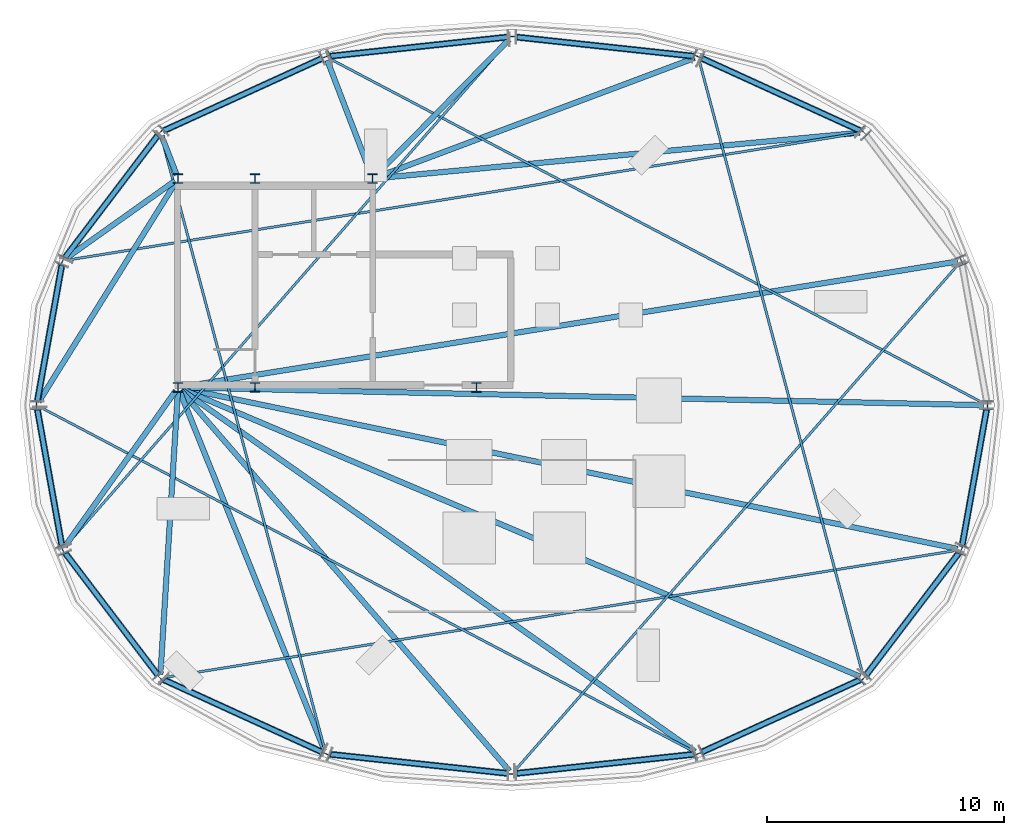
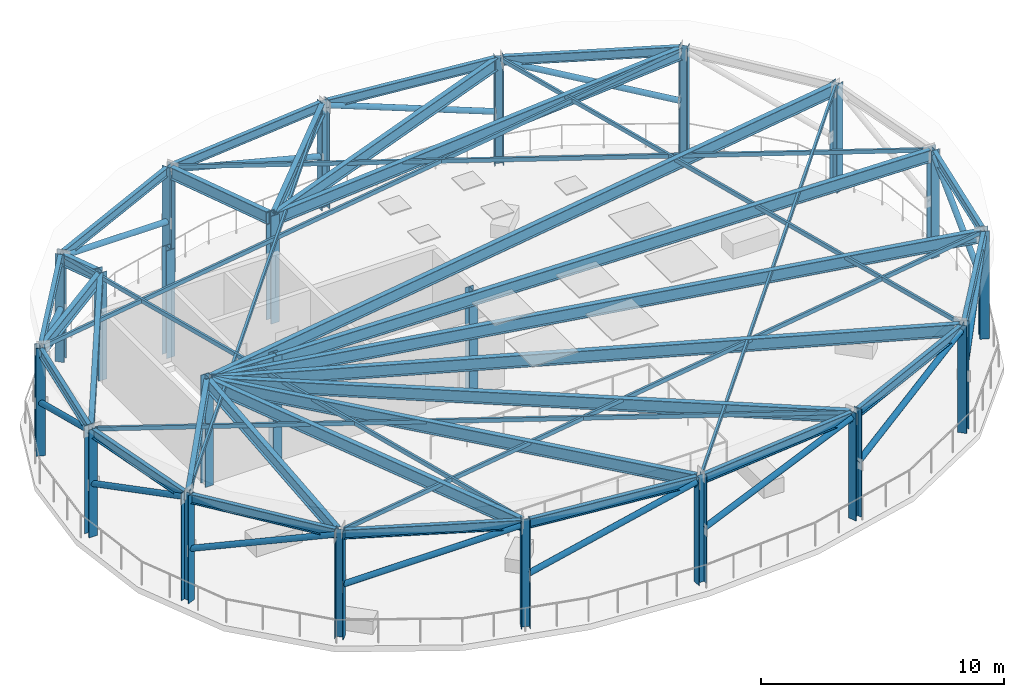
# One storey, part 1 of 6: 30 beams, 22 columns, 22 members.
"""IFC4 building model written with IfcOpenShell, lengths in metres."""

from ifc_helpers import new_model, si_unit, direction, frame, origin, origin_2d, place, context, subcontext, project, spatial, hollow_rectangle, hollow_circle, i_section, extrude, material, material_profile, profile_set, type_object, element, save


model = new_model("IFC4")

# Units and contexts
model_context = context("Model", 3, precision=1e-05, world=origin(), true_north=direction((0.0, 1.0)))
body_context = subcontext(model_context, "Body", "Model", "MODEL_VIEW")
ifc_project = project(units=[si_unit("LENGTHUNIT", "METRE"), si_unit("AREAUNIT", "SQUARE_METRE"), si_unit("VOLUMEUNIT", "CUBIC_METRE"), si_unit("PLANEANGLEUNIT", "RADIAN"), si_unit("MASSUNIT", "GRAM", prefix="KILO")], contexts=[model_context])

# Site, building, storey
site_placement = place(None, origin())
site = spatial("IfcSite", under=ifc_project, at=site_placement, CompositionType="ELEMENT")
building_placement = place(site_placement, origin())
building = spatial("IfcBuilding", under=site, at=building_placement, Name="Haldorwick Loom Tower", CompositionType="ELEMENT")
storey_placement = place(building_placement, frame((0.0, 0.0, 300.5)))
storey = spatial("IfcBuildingStorey", under=building, at=storey_placement, Name="RF", CompositionType="ELEMENT", Elevation=300.5)

# Columns
ifc_material = material(Name="Steel CSA G40.21 350W", Category="steel")
ifc_material_profile_1 = material_profile(ifc_material, i_section(OverallWidth=0.39501953125, OverallDepth=0.3798828125, WebThickness=0.015380859375, FlangeThickness=0.02490234375, at=origin_2d()), Name="W360X237", Category="steel")
ifc_profile_set_1 = profile_set([ifc_material_profile_1], Name="Steel CSA G40.21 350W")
column_type_1 = type_object("IfcColumnType", Name="STR-COL-W360X237", PredefinedType="COLUMN", material=ifc_profile_set_1)
for number, where, z_axis, x_axis, name in (
    (1, (56.03369140625, 26.0, 0.0), (0.0, 0.0, 1.0), (1.0, 0.0, 0.0), "RF Perimeter Pier Column P01"),
    (2, (54.939453125, 32.084716796875, 0.0), (0.0, 0.0, 1.0), (0.923879532511, 0.382683432365, 0.0), "RF Perimeter Pier Column P02"),
    (3, (50.825439453125, 37.501220703125, 0.0), (0.0, 0.0, 1.0), (0.707106781187, 0.707106781187, 0.0), "RF Perimeter Pier Column P03"),
    (4, (43.844970703125, 40.689697265625, 0.0), (0.0, 0.0, 1.0), (0.382683432365, 0.923879532511, 0.0), "RF Perimeter Pier Column P04"),
    (5, (36.0, 41.534912109375, 0.0), (0.0, 0.0, 1.0), (0.0, 1.0, 0.0), "RF Perimeter Pier Column P05"),
    (6, (28.155029296875, 40.689697265625, 0.0), (0.0, 0.0, 1.0), (-0.382683432365, 0.923879532511, 0.0), "RF Perimeter Pier Column P06"),
    (7, (21.174560546875, 37.501220703125, 0.0), (0.0, 0.0, 1.0), (-0.707106781187, 0.707106781187, 0.0), "RF Perimeter Pier Column P07"),
    (8, (17.060546875, 32.084716796875, 0.0), (0.0, 0.0, 1.0), (-0.923879532511, 0.382683432365, 0.0), "RF Perimeter Pier Column P08"),
    (9, (15.96630859375, 26.0, 0.0), (0.0, 0.0, 1.0), (-1.0, 0.0, 0.0), "RF Perimeter Pier Column P09"),
    (10, (17.060546875, 19.915283203125, 0.0), (0.0, 0.0, 1.0), (-0.923879532511, -0.382683432365, 0.0), "RF Perimeter Pier Column P10"),
    (11, (21.174560546875, 14.498779296875, 0.0), (0.0, 0.0, 1.0), (-0.707106781187, -0.707106781187, 0.0), "RF Perimeter Pier Column P11"),
    (12, (28.155029296875, 11.310302734375, 0.0), (0.0, 0.0, 1.0), (-0.382683432365, -0.923879532511, 0.0), "RF Perimeter Pier Column P12"),
    (13, (36.0, 10.465087890625, 0.0), (0.0, 0.0, 1.0), (0.0, -1.0, 0.0), "RF Perimeter Pier Column P13"),
    (14, (43.844970703125, 11.310302734375, 0.0), (0.0, 0.0, 1.0), (0.382683432365, -0.923879532511, 0.0), "RF Perimeter Pier Column P14"),
    (15, (50.825439453125, 14.498779296875, 0.0), (0.0, 0.0, 1.0), (0.707106781187, -0.707106781187, 0.0), "RF Perimeter Pier Column P15"),
    (16, (54.939453125, 19.915283203125, 0.0), (0.0, 0.0, 1.0), (0.923879532511, -0.382683432365, 0.0), "RF Perimeter Pier Column P16"),
):
    element("IfcColumn", number, at=place(storey_placement, frame(where, z_axis=z_axis, x_axis=x_axis)), inside=storey, type_object=column_type_1, Name=name, PredefinedType="COLUMN", context=body_context, shape_type="SweptSolid", body=[
        extrude(i_section(OverallWidth=0.39501953125, OverallDepth=0.3798828125, WebThickness=0.015380859375, FlangeThickness=0.02490234375, at=origin_2d()), origin(), (0.0, 0.0, 1.0), 5.419921875),
    ])
ifc_material_profile_2 = material_profile(ifc_material, i_section(OverallWidth=0.39892578125, OverallDepth=0.39306640625, WebThickness=0.0185546875, FlangeThickness=0.029541015625, at=origin_2d()), Name="W360X287", Category="steel")
ifc_profile_set_2 = profile_set([ifc_material_profile_2], Name="Steel CSA G40.21 350W")
column_type_2 = type_object("IfcColumnType", Name="STR-COL-W360X287", PredefinedType="COLUMN", material=ifc_profile_set_2)
for number, where, z_axis, x_axis, name in (
    (17, (21.929931640625, 35.550048828125, 0.0), (0.0, 0.0, 1.0), (1.0, 0.0, 0.0), "RF Core Pilaster CB-01"),
    (18, (25.169921875, 35.550048828125, 0.0), (0.0, 0.0, 1.0), (1.0, 0.0, 0.0), "RF Core Pilaster CB-03"),
    (19, (30.1298828125, 35.550048828125, 0.0), (0.0, 0.0, 1.0), (1.0, 0.0, 0.0), "RF Core Pilaster CB-06"),
    (20, (21.929931640625, 26.75, 0.0), (0.0, 0.0, 1.0), (1.0, 0.0, 0.0), "RF Core Pilaster CB-19"),
    (21, (25.169921875, 26.75, 0.0), (0.0, 0.0, 1.0), (1.0, 0.0, 0.0), "RF Core Pilaster CB-20"),
    (22, (34.5, 26.75, 0.0), (0.0, 0.0, 1.0), (1.0, 0.0, 0.0), "RF Core Pilaster CB-21"),
):
    element("IfcColumn", number, at=place(storey_placement, frame(where, z_axis=z_axis, x_axis=x_axis)), inside=storey, type_object=column_type_2, Name=name, PredefinedType="COLUMN", context=body_context, shape_type="SweptSolid", body=[
        extrude(i_section(OverallWidth=0.39892578125, OverallDepth=0.39306640625, WebThickness=0.0185546875, FlangeThickness=0.029541015625, at=origin_2d()), origin(), (0.0, 0.0, 1.0), 5.419921875),
    ])

# Beams
ifc_material_profile_3 = material_profile(ifc_material, i_section(OverallWidth=0.193115234375, OverallDepth=0.466064453125, WebThickness=0.011474609375, FlangeThickness=0.01904296875, at=origin_2d()), Name="W460X97", Category="steel")
ifc_profile_set_3 = profile_set([ifc_material_profile_3], Name="Steel CSA G40.21 350W")
beam_type_1 = type_object("IfcBeamType", Name="STR-BM-SP460", PredefinedType="SPANDREL", material=ifc_profile_set_3)
beam_1_placement = place(storey_placement, frame((50.67529296875, 37.56982421875, 5.18701171875), z_axis=(-0.909604441559, 0.415475342103, 0.0), x_axis=(-0.415475342103, -0.909604441559, 0.0)))
element("IfcBeam", 23, at=beam_1_placement, inside=storey, type_object=beam_type_1, Name="RF Perimeter Spandrel 3", PredefinedType="SPANDREL", context=body_context, shape_type="SweptSolid", body=[
    extrude(i_section(OverallWidth=0.193115234375, OverallDepth=0.466064453125, WebThickness=0.011474609375, FlangeThickness=0.01904296875, at=origin_2d()), origin(), (0.0, 0.0, 1.0), 7.343994140625),
])
for number, where, z_axis, x_axis, name in (
    (24, (43.680908203125, 40.70751953125, 5.18701171875), (-0.994250241112, 0.10708154859, 0.0), (-0.10708154859, -0.994250241112, 0.0), "RF Perimeter Spandrel 4"),
    (25, (35.8359375, 41.51708984375, 5.18701171875), (-0.994250241112, -0.10708154859, 0.0), (0.10708154859, -0.994250241112, 0.0), "RF Perimeter Spandrel 5"),
):
    element("IfcBeam", number, at=place(storey_placement, frame(where, z_axis=z_axis, x_axis=x_axis)), inside=storey, type_object=beam_type_1, Name=name, PredefinedType="SPANDREL", context=body_context, shape_type="SweptSolid", body=[
        extrude(i_section(OverallWidth=0.193115234375, OverallDepth=0.466064453125, WebThickness=0.011474609375, FlangeThickness=0.01904296875, at=origin_2d()), origin(), (0.0, 0.0, 1.0), 7.560302734375),
    ])
beam_2_placement = place(storey_placement, frame((28.0048828125, 40.62109375, 5.18701171875), z_axis=(-0.909604441559, -0.415475342103, 0.0), x_axis=(0.415475342103, -0.909604441559, 0.0)))
element("IfcBeam", 26, at=beam_2_placement, inside=storey, type_object=beam_type_1, Name="RF Perimeter Spandrel 6", PredefinedType="SPANDREL", context=body_context, shape_type="SweptSolid", body=[
    extrude(i_section(OverallWidth=0.193115234375, OverallDepth=0.466064453125, WebThickness=0.011474609375, FlangeThickness=0.01904296875, at=origin_2d()), origin(), (0.0, 0.0, 1.0), 7.343994140625),
])
beam_3_placement = place(storey_placement, frame((21.07470703125, 37.369873046875, 5.18701171875), z_axis=(-0.604829766421, -0.796354791315, 0.0), x_axis=(0.796354791315, -0.604829766421, 0.0)))
element("IfcBeam", 27, at=beam_3_placement, inside=storey, type_object=beam_type_1, Name="RF Perimeter Spandrel 7", PredefinedType="SPANDREL", context=body_context, shape_type="SweptSolid", body=[
    extrude(i_section(OverallWidth=0.193115234375, OverallDepth=0.466064453125, WebThickness=0.011474609375, FlangeThickness=0.01904296875, at=origin_2d()), origin(), (0.0, 0.0, 1.0), 6.4716796875),
])
for number, where, z_axis, x_axis, name in (
    (28, (17.03125, 31.92236328125, 5.18701171875), (-0.176961464266, -0.984217780862, 0.0), (0.984217780862, -0.176961464266, 0.0), "RF Perimeter Spandrel 8"),
    (29, (15.99560546875, 25.837646484375, 5.18701171875), (0.176961464266, -0.984217780862, 0.0), (0.984217780862, 0.176961464266, 0.0), "RF Perimeter Spandrel 9"),
):
    element("IfcBeam", number, at=place(storey_placement, frame(where, z_axis=z_axis, x_axis=x_axis)), inside=storey, type_object=beam_type_1, Name=name, PredefinedType="SPANDREL", context=body_context, shape_type="SweptSolid", body=[
        extrude(i_section(OverallWidth=0.193115234375, OverallDepth=0.466064453125, WebThickness=0.011474609375, FlangeThickness=0.01904296875, at=origin_2d()), origin(), (0.0, 0.0, 1.0), 5.852294921875),
    ])
beam_4_placement = place(storey_placement, frame((17.160400390625, 19.783935546875, 5.18701171875), z_axis=(0.604829766421, -0.796354791315, 0.0), x_axis=(0.796354791315, 0.604829766421, 0.0)))
element("IfcBeam", 30, at=beam_4_placement, inside=storey, type_object=beam_type_1, Name="RF Perimeter Spandrel 10", PredefinedType="SPANDREL", context=body_context, shape_type="SweptSolid", body=[
    extrude(i_section(OverallWidth=0.193115234375, OverallDepth=0.466064453125, WebThickness=0.011474609375, FlangeThickness=0.01904296875, at=origin_2d()), origin(), (0.0, 0.0, 1.0), 6.4716796875),
])
beam_5_placement = place(storey_placement, frame((21.32470703125, 14.43017578125, 5.18701171875), z_axis=(0.909604441559, -0.415475342103, 0.0), x_axis=(0.415475342103, 0.909604441559, 0.0)))
element("IfcBeam", 31, at=beam_5_placement, inside=storey, type_object=beam_type_1, Name="RF Perimeter Spandrel 11", PredefinedType="SPANDREL", context=body_context, shape_type="SweptSolid", body=[
    extrude(i_section(OverallWidth=0.193115234375, OverallDepth=0.466064453125, WebThickness=0.011474609375, FlangeThickness=0.01904296875, at=origin_2d()), origin(), (0.0, 0.0, 1.0), 7.343994140625),
])
for number, where, z_axis, x_axis, name in (
    (32, (28.319091796875, 11.29248046875, 5.18701171875), (0.994250241112, -0.10708154859, 0.0), (0.10708154859, 0.994250241112, 0.0), "RF Perimeter Spandrel 12"),
    (33, (36.1640625, 10.48291015625, 5.18701171875), (0.994250241112, 0.10708154859, 0.0), (-0.10708154859, 0.994250241112, 0.0), "RF Perimeter Spandrel 13"),
):
    element("IfcBeam", number, at=place(storey_placement, frame(where, z_axis=z_axis, x_axis=x_axis)), inside=storey, type_object=beam_type_1, Name=name, PredefinedType="SPANDREL", context=body_context, shape_type="SweptSolid", body=[
        extrude(i_section(OverallWidth=0.193115234375, OverallDepth=0.466064453125, WebThickness=0.011474609375, FlangeThickness=0.01904296875, at=origin_2d()), origin(), (0.0, 0.0, 1.0), 7.560302734375),
    ])
beam_6_placement = place(storey_placement, frame((43.9951171875, 11.37890625, 5.18701171875), z_axis=(0.909604441559, 0.415475342103, 0.0), x_axis=(-0.415475342103, 0.909604441559, 0.0)))
element("IfcBeam", 34, at=beam_6_placement, inside=storey, type_object=beam_type_1, Name="RF Perimeter Spandrel 14", PredefinedType="SPANDREL", context=body_context, shape_type="SweptSolid", body=[
    extrude(i_section(OverallWidth=0.193115234375, OverallDepth=0.466064453125, WebThickness=0.011474609375, FlangeThickness=0.01904296875, at=origin_2d()), origin(), (0.0, 0.0, 1.0), 7.343994140625),
])
beam_7_placement = place(storey_placement, frame((50.92529296875, 14.630126953125, 5.18701171875), z_axis=(0.604829766421, 0.796354791315, 0.0), x_axis=(-0.796354791315, 0.604829766421, 0.0)))
element("IfcBeam", 35, at=beam_7_placement, inside=storey, type_object=beam_type_1, Name="RF Perimeter Spandrel 15", PredefinedType="SPANDREL", context=body_context, shape_type="SweptSolid", body=[
    extrude(i_section(OverallWidth=0.193115234375, OverallDepth=0.466064453125, WebThickness=0.011474609375, FlangeThickness=0.01904296875, at=origin_2d()), origin(), (0.0, 0.0, 1.0), 6.4716796875),
])
beam_8_placement = place(storey_placement, frame((54.96875, 20.07763671875, 5.18701171875), z_axis=(0.176961464266, 0.984217780862, 0.0), x_axis=(-0.984217780862, 0.176961464266, 0.0)))
element("IfcBeam", 36, at=beam_8_placement, inside=storey, type_object=beam_type_1, Name="RF Perimeter Spandrel 16", PredefinedType="SPANDREL", context=body_context, shape_type="SweptSolid", body=[
    extrude(i_section(OverallWidth=0.193115234375, OverallDepth=0.466064453125, WebThickness=0.011474609375, FlangeThickness=0.01904296875, at=origin_2d()), origin(), (0.0, 0.0, 1.0), 5.852294921875),
])
ifc_material_profile_4 = material_profile(ifc_material, i_section(OverallWidth=0.22998046875, OverallDepth=0.616943359375, WebThickness=0.01318359375, FlangeThickness=0.022216796875, at=origin_2d()), Name="W610X140", Category="steel")
ifc_profile_set_4 = profile_set([ifc_material_profile_4], Name="Steel CSA G40.21 350W")
beam_type_2 = type_object("IfcBeamType", Name="STR-BM-W610B", PredefinedType="BEAM", material=ifc_profile_set_4)
beam_9_placement = place(storey_placement, frame((22.1015625, 26.74609375, 5.111572265625), z_axis=(0.999758377009, -0.021981528628, 0.0), x_axis=(0.021981528628, 0.999758377009, 0.0)))
element("IfcBeam", 37, at=beam_9_placement, inside=storey, type_object=beam_type_2, Name="RF Radial Floor Girder 1", PredefinedType="BEAM", context=body_context, shape_type="SweptSolid", body=[
    extrude(i_section(OverallWidth=0.22998046875, OverallDepth=0.616943359375, WebThickness=0.01318359375, FlangeThickness=0.022216796875, at=origin_2d()), origin(), (0.0, 0.0, 1.0), 33.775146484375),
])
beam_10_placement = place(storey_placement, frame((22.099365234375, 26.77734375, 5.111572265625), z_axis=(0.987191291071, 0.159541075693, 0.0), x_axis=(-0.159541075693, 0.987191291071, 0.0)))
element("IfcBeam", 38, at=beam_10_placement, inside=storey, type_object=beam_type_2, Name="RF Radial Floor Girder 2", PredefinedType="BEAM", context=body_context, shape_type="SweptSolid", body=[
    extrude(i_section(OverallWidth=0.22998046875, OverallDepth=0.616943359375, WebThickness=0.01318359375, FlangeThickness=0.022216796875, at=origin_2d()), origin(), (0.0, 0.0, 1.0), 33.101318359375),
])
beam_11_placement = place(storey_placement, frame((30.30078125, 35.566162109375, 5.111572265625), z_axis=(0.995585692835, 0.093856956174, 0.0), x_axis=(-0.093856956174, 0.995585692835, 0.0)))
element("IfcBeam", 39, at=beam_11_placement, inside=storey, type_object=beam_type_2, Name="RF Radial Floor Girder 3", PredefinedType="BEAM", context=body_context, shape_type="SweptSolid", body=[
    extrude(i_section(OverallWidth=0.22998046875, OverallDepth=0.616943359375, WebThickness=0.01318359375, FlangeThickness=0.022216796875, at=origin_2d()), origin(), (0.0, 0.0, 1.0), 20.45068359375),
])
beam_12_placement = place(storey_placement, frame((30.29052734375, 35.610107421875, 5.111572265625), z_axis=(0.936403476594, 0.350925247059, 0.0), x_axis=(-0.350925247059, 0.936403476594, 0.0)))
element("IfcBeam", 40, at=beam_12_placement, inside=storey, type_object=beam_type_2, Name="RF Radial Floor Girder 4", PredefinedType="BEAM", context=body_context, shape_type="SweptSolid", body=[
    extrude(i_section(OverallWidth=0.22998046875, OverallDepth=0.616943359375, WebThickness=0.01318359375, FlangeThickness=0.022216796875, at=origin_2d()), origin(), (0.0, 0.0, 1.0), 14.31005859375),
])
beam_13_placement = place(storey_placement, frame((30.25, 35.67236328125, 5.111572265625), z_axis=(0.700231863823, 0.713915497021, 0.0), x_axis=(-0.713915497021, 0.700231863823, 0.0)))
element("IfcBeam", 41, at=beam_13_placement, inside=storey, type_object=beam_type_2, Name="RF Radial Floor Girder 5", PredefinedType="BEAM", context=body_context, shape_type="SweptSolid", body=[
    extrude(i_section(OverallWidth=0.22998046875, OverallDepth=0.616943359375, WebThickness=0.01318359375, FlangeThickness=0.022216796875, at=origin_2d()), origin(), (0.0, 0.0, 1.0), 8.046630859375),
])
beam_14_placement = place(storey_placement, frame((30.068603515625, 35.710205078125, 5.111572265625), z_axis=(-0.358735386107, 0.933439297841, 0.0), x_axis=(-0.933439297841, -0.358735386107, 0.0)))
element("IfcBeam", 42, at=beam_14_placement, inside=storey, type_object=beam_type_2, Name="RF Radial Floor Girder 6", PredefinedType="BEAM", context=body_context, shape_type="SweptSolid", body=[
    extrude(i_section(OverallWidth=0.22998046875, OverallDepth=0.616943359375, WebThickness=0.01318359375, FlangeThickness=0.022216796875, at=origin_2d()), origin(), (0.0, 0.0, 1.0), 5.16943359375),
])
beam_15_placement = place(storey_placement, frame((21.8681640625, 35.7099609375, 5.111572265625), z_axis=(-0.361083815529, 0.93253336571, 0.0), x_axis=(-0.93253336571, -0.361083815529, 0.0)))
element("IfcBeam", 43, at=beam_15_placement, inside=storey, type_object=beam_type_2, Name="RF Radial Floor Girder 7", PredefinedType="BEAM", context=body_context, shape_type="SweptSolid", body=[
    extrude(i_section(OverallWidth=0.22998046875, OverallDepth=0.616943359375, WebThickness=0.01318359375, FlangeThickness=0.022216796875, at=origin_2d()), origin(), (0.0, 0.0, 1.0), 1.755859375),
])
beam_16_placement = place(storey_placement, frame((21.790283203125, 35.45068359375, 5.111572265625), z_axis=(-0.814755843912, -0.579804203857, 0.0), x_axis=(0.579804203857, -0.814755843912, 0.0)))
element("IfcBeam", 44, at=beam_16_placement, inside=storey, type_object=beam_type_2, Name="RF Radial Floor Girder 8", PredefinedType="BEAM", context=body_context, shape_type="SweptSolid", body=[
    extrude(i_section(OverallWidth=0.22998046875, OverallDepth=0.616943359375, WebThickness=0.01318359375, FlangeThickness=0.022216796875, at=origin_2d()), origin(), (0.0, 0.0, 1.0), 5.640380859375),
])
beam_17_placement = place(storey_placement, frame((21.839111328125, 35.404541015625, 5.111572265625), z_axis=(-0.529669400051, -0.848204177454, 0.0), x_axis=(0.848204177454, -0.529669400051, 0.0)))
element("IfcBeam", 45, at=beam_17_placement, inside=storey, type_object=beam_type_2, Name="RF Radial Floor Girder 9", PredefinedType="BEAM", context=body_context, shape_type="SweptSolid", body=[
    extrude(i_section(OverallWidth=0.22998046875, OverallDepth=0.616943359375, WebThickness=0.01318359375, FlangeThickness=0.022216796875, at=origin_2d()), origin(), (0.0, 0.0, 1.0), 10.922607421875),
])
beam_18_placement = place(storey_placement, frame((21.83056640625, 26.6103515625, 5.111572265625), z_axis=(-0.58026875844, -0.814425053629, 0.0), x_axis=(0.814425053629, -0.58026875844, 0.0)))
element("IfcBeam", 46, at=beam_18_placement, inside=storey, type_object=beam_type_2, Name="RF Radial Floor Girder 10", PredefinedType="BEAM", context=body_context, shape_type="SweptSolid", body=[
    extrude(i_section(OverallWidth=0.22998046875, OverallDepth=0.616943359375, WebThickness=0.01318359375, FlangeThickness=0.022216796875, at=origin_2d()), origin(), (0.0, 0.0, 1.0), 8.055419921875),
])
beam_19_placement = place(storey_placement, frame((21.91943359375, 26.578857421875, 5.111572265625), z_axis=(-0.061536674774, -0.998104822981, 0.0), x_axis=(0.998104822981, -0.061536674774, 0.0)))
element("IfcBeam", 47, at=beam_19_placement, inside=storey, type_object=beam_type_2, Name="RF Radial Floor Girder 11", PredefinedType="BEAM", context=body_context, shape_type="SweptSolid", body=[
    extrude(i_section(OverallWidth=0.22998046875, OverallDepth=0.616943359375, WebThickness=0.01318359375, FlangeThickness=0.022216796875, at=origin_2d()), origin(), (0.0, 0.0, 1.0), 11.93798828125),
])
beam_20_placement = place(storey_placement, frame((21.994140625, 26.5908203125, 5.111572265625), z_axis=(0.37393386399, -0.927455371089, 0.0), x_axis=(0.927455371089, 0.37393386399, 0.0)))
element("IfcBeam", 48, at=beam_20_placement, inside=storey, type_object=beam_type_2, Name="RF Radial Floor Girder 12", PredefinedType="BEAM", context=body_context, shape_type="SweptSolid", body=[
    extrude(i_section(OverallWidth=0.22998046875, OverallDepth=0.616943359375, WebThickness=0.01318359375, FlangeThickness=0.022216796875, at=origin_2d()), origin(), (0.0, 0.0, 1.0), 16.310791015625),
])
beam_21_placement = place(storey_placement, frame((22.0419921875, 26.6201171875, 5.111572265625), z_axis=(0.653781579482, -0.756683319711, 0.0), x_axis=(0.756683319711, 0.653781579482, 0.0)))
element("IfcBeam", 49, at=beam_21_placement, inside=storey, type_object=beam_type_2, Name="RF Radial Floor Girder 13", PredefinedType="BEAM", context=body_context, shape_type="SweptSolid", body=[
    extrude(i_section(OverallWidth=0.22998046875, OverallDepth=0.616943359375, WebThickness=0.01318359375, FlangeThickness=0.022216796875, at=origin_2d()), origin(), (0.0, 0.0, 1.0), 21.1845703125),
])
beam_22_placement = place(storey_placement, frame((22.0703125, 26.651123046875, 5.111572265625), z_axis=(0.817490229702, -0.575942466173, 0.0), x_axis=(0.575942466173, 0.817490229702, 0.0)))
element("IfcBeam", 50, at=beam_22_placement, inside=storey, type_object=beam_type_2, Name="RF Radial Floor Girder 14", PredefinedType="BEAM", context=body_context, shape_type="SweptSolid", body=[
    extrude(i_section(OverallWidth=0.22998046875, OverallDepth=0.616943359375, WebThickness=0.01318359375, FlangeThickness=0.022216796875, at=origin_2d()), origin(), (0.0, 0.0, 1.0), 26.47119140625),
])
beam_23_placement = place(storey_placement, frame((22.087890625, 26.68310546875, 5.111572265625), z_axis=(0.920667342171, -0.390348107539, 0.0), x_axis=(0.390348107539, 0.920667342171, 0.0)))
element("IfcBeam", 51, at=beam_23_placement, inside=storey, type_object=beam_type_2, Name="RF Radial Floor Girder 15", PredefinedType="BEAM", context=body_context, shape_type="SweptSolid", body=[
    extrude(i_section(OverallWidth=0.22998046875, OverallDepth=0.616943359375, WebThickness=0.01318359375, FlangeThickness=0.022216796875, at=origin_2d()), origin(), (0.0, 0.0, 1.0), 31.048828125),
])
beam_24_placement = place(storey_placement, frame((22.097900390625, 26.715087890625, 5.111572265625), z_axis=(0.97923072993, -0.202749050703, 0.0), x_axis=(0.202749050703, 0.97923072993, 0.0)))
element("IfcBeam", 52, at=beam_24_placement, inside=storey, type_object=beam_type_2, Name="RF Radial Floor Girder 16", PredefinedType="BEAM", context=body_context, shape_type="SweptSolid", body=[
    extrude(i_section(OverallWidth=0.22998046875, OverallDepth=0.616943359375, WebThickness=0.01318359375, FlangeThickness=0.022216796875, at=origin_2d()), origin(), (0.0, 0.0, 1.0), 33.373046875),
])

# Members
ifc_material_profile_5 = material_profile(ifc_material, hollow_circle(Radius=0.136474609375, WallThickness=0.009521484375, at=origin_2d()), Name="HSS273X10", Category="steel")
ifc_profile_set_5 = profile_set([ifc_material_profile_5], Name="Steel CSA G40.21 350W")
member_type_1 = type_object("IfcMemberType", Name="STR-MEM-BR273C", PredefinedType="BRACE", material=ifc_profile_set_5)
member_1_placement = place(storey_placement, frame((50.67529296875, 37.56982421875, 2.64990234375), z_axis=(-0.862141517948, 0.393795946616, 0.318805199861), x_axis=(-0.415475342103, -0.909604441559, 0.0)))
element("IfcMember", 53, at=member_1_placement, inside=storey, type_object=member_type_1, Name="RF Canopy Wind Brace 3", PredefinedType="BRACE", context=body_context, shape_type="SweptSolid", body=[
    extrude(hollow_circle(Radius=0.136474609375, WallThickness=0.009521484375, at=origin_2d()), origin(), (0.0, 0.0, 1.0), 7.748291015625),
])
for number, where, z_axis, x_axis, name in (
    (54, (43.680908203125, 40.70751953125, 2.64990234375), (-0.945082872583, 0.101786183555, 0.310576780824), (-0.10708154859, -0.994250241112, 0.0), "RF Canopy Wind Brace 4"),
    (55, (35.8359375, 41.51708984375, 2.64990234375), (-0.945082872583, -0.101786183555, 0.310576780824), (0.10708154859, -0.994250241112, 0.0), "RF Canopy Wind Brace 5"),
):
    element("IfcMember", number, at=place(storey_placement, frame(where, z_axis=z_axis, x_axis=x_axis)), inside=storey, type_object=member_type_1, Name=name, PredefinedType="BRACE", context=body_context, shape_type="SweptSolid", body=[
        extrude(hollow_circle(Radius=0.136474609375, WallThickness=0.009521484375, at=origin_2d()), origin(), (0.0, 0.0, 1.0), 7.95361328125),
    ])
member_2_placement = place(storey_placement, frame((28.0048828125, 40.62109375, 2.64990234375), z_axis=(-0.862141517948, -0.393795946616, 0.318805199861), x_axis=(0.415475342103, -0.909604441559, 0.0)))
element("IfcMember", 56, at=member_2_placement, inside=storey, type_object=member_type_1, Name="RF Canopy Wind Brace 6", PredefinedType="BRACE", context=body_context, shape_type="SweptSolid", body=[
    extrude(hollow_circle(Radius=0.136474609375, WallThickness=0.009521484375, at=origin_2d()), origin(), (0.0, 0.0, 1.0), 7.748291015625),
])
member_3_placement = place(storey_placement, frame((21.07470703125, 37.369873046875, 2.64990234375), z_axis=(-0.565066848115, -0.744000571553, 0.356598663333), x_axis=(0.796354791315, -0.604829766421, 0.0)))
element("IfcMember", 57, at=member_3_placement, inside=storey, type_object=member_type_1, Name="RF Canopy Wind Brace 7", PredefinedType="BRACE", context=body_context, shape_type="SweptSolid", body=[
    extrude(hollow_circle(Radius=0.136474609375, WallThickness=0.009521484375, at=origin_2d()), origin(), (0.0, 0.0, 1.0), 6.92724609375),
])
for number, where, z_axis, x_axis, name in (
    (58, (17.03125, 31.92236328125, 2.64990234375), (-0.163033528275, -0.906753897358, 0.388866864471), (0.984217780862, -0.176961464266, 0.0), "RF Canopy Wind Brace 8"),
    (59, (15.99560546875, 25.837646484375, 2.64990234375), (0.163033528275, -0.906753897358, 0.388866864471), (0.984217780862, 0.176961464266, 0.0), "RF Canopy Wind Brace 9"),
):
    element("IfcMember", number, at=place(storey_placement, frame(where, z_axis=z_axis, x_axis=x_axis)), inside=storey, type_object=member_type_1, Name=name, PredefinedType="BRACE", context=body_context, shape_type="SweptSolid", body=[
        extrude(hollow_circle(Radius=0.136474609375, WallThickness=0.009521484375, at=origin_2d()), origin(), (0.0, 0.0, 1.0), 6.352294921875),
    ])
member_4_placement = place(storey_placement, frame((17.160400390625, 19.783935546875, 2.64990234375), z_axis=(0.565066848115, -0.744000571553, 0.356598663333), x_axis=(0.796354791315, 0.604829766421, 0.0)))
element("IfcMember", 60, at=member_4_placement, inside=storey, type_object=member_type_1, Name="RF Canopy Wind Brace 10", PredefinedType="BRACE", context=body_context, shape_type="SweptSolid", body=[
    extrude(hollow_circle(Radius=0.136474609375, WallThickness=0.009521484375, at=origin_2d()), origin(), (0.0, 0.0, 1.0), 6.92724609375),
])
member_5_placement = place(storey_placement, frame((21.32470703125, 14.43017578125, 2.64990234375), z_axis=(0.862141517948, -0.393795946616, 0.318805199861), x_axis=(0.415475342103, 0.909604441559, 0.0)))
element("IfcMember", 61, at=member_5_placement, inside=storey, type_object=member_type_1, Name="RF Canopy Wind Brace 11", PredefinedType="BRACE", context=body_context, shape_type="SweptSolid", body=[
    extrude(hollow_circle(Radius=0.136474609375, WallThickness=0.009521484375, at=origin_2d()), origin(), (0.0, 0.0, 1.0), 7.748291015625),
])
for number, where, z_axis, x_axis, name in (
    (62, (28.319091796875, 11.29248046875, 2.64990234375), (0.945082872583, -0.101786183555, 0.310576780824), (0.10708154859, 0.994250241112, 0.0), "RF Canopy Wind Brace 12"),
    (63, (36.1640625, 10.48291015625, 2.64990234375), (0.945082872583, 0.101786183555, 0.310576780824), (-0.10708154859, 0.994250241112, 0.0), "RF Canopy Wind Brace 13"),
):
    element("IfcMember", number, at=place(storey_placement, frame(where, z_axis=z_axis, x_axis=x_axis)), inside=storey, type_object=member_type_1, Name=name, PredefinedType="BRACE", context=body_context, shape_type="SweptSolid", body=[
        extrude(hollow_circle(Radius=0.136474609375, WallThickness=0.009521484375, at=origin_2d()), origin(), (0.0, 0.0, 1.0), 7.95361328125),
    ])
member_6_placement = place(storey_placement, frame((43.9951171875, 11.37890625, 2.64990234375), z_axis=(0.862141517948, 0.393795946616, 0.318805199861), x_axis=(-0.415475342103, 0.909604441559, 0.0)))
element("IfcMember", 64, at=member_6_placement, inside=storey, type_object=member_type_1, Name="RF Canopy Wind Brace 14", PredefinedType="BRACE", context=body_context, shape_type="SweptSolid", body=[
    extrude(hollow_circle(Radius=0.136474609375, WallThickness=0.009521484375, at=origin_2d()), origin(), (0.0, 0.0, 1.0), 7.748291015625),
])
member_7_placement = place(storey_placement, frame((50.92529296875, 14.630126953125, 2.64990234375), z_axis=(0.565066848115, 0.744000571553, 0.356598663333), x_axis=(-0.796354791315, 0.604829766421, 0.0)))
element("IfcMember", 65, at=member_7_placement, inside=storey, type_object=member_type_1, Name="RF Canopy Wind Brace 15", PredefinedType="BRACE", context=body_context, shape_type="SweptSolid", body=[
    extrude(hollow_circle(Radius=0.136474609375, WallThickness=0.009521484375, at=origin_2d()), origin(), (0.0, 0.0, 1.0), 6.92724609375),
])
member_8_placement = place(storey_placement, frame((54.96875, 20.07763671875, 2.64990234375), z_axis=(0.163033528275, 0.906753897358, 0.388866864471), x_axis=(-0.984217780862, 0.176961464266, 0.0)))
element("IfcMember", 66, at=member_8_placement, inside=storey, type_object=member_type_1, Name="RF Canopy Wind Brace 16", PredefinedType="BRACE", context=body_context, shape_type="SweptSolid", body=[
    extrude(hollow_circle(Radius=0.136474609375, WallThickness=0.009521484375, at=origin_2d()), origin(), (0.0, 0.0, 1.0), 6.352294921875),
])
ifc_material_profile_6 = material_profile(ifc_material, hollow_rectangle(XDim=0.1015625, YDim=0.203125, WallThickness=0.008056640625, at=origin_2d()), Name="HSS203X102X8", Category="steel")
ifc_profile_set_6 = profile_set([ifc_material_profile_6], Name="Steel CSA G40.21 350W")
member_type_2 = type_object("IfcMemberType", Name="STR-MEM-PR203R", PredefinedType="PURLIN", material=ifc_profile_set_6)
member_9_placement = place(storey_placement, frame((55.8876953125, 26.076904296875, 5.318359375), z_axis=(-0.884698863235, 0.466162977284, 0.0), x_axis=(-0.466162977284, -0.884698863235, 0.0)))
element("IfcMember", 67, at=member_9_placement, inside=storey, type_object=member_type_2, Name="RF Sky-Garden Canopy Purlin 1", PredefinedType="PURLIN", context=body_context, shape_type="SweptSolid", body=[
    extrude(hollow_rectangle(XDim=0.1015625, YDim=0.203125, WallThickness=0.008056640625, at=origin_2d()), origin(), (0.0, 0.0, 1.0), 31.181884765625),
])
member_10_placement = place(storey_placement, frame((50.66259765625, 37.47509765625, 5.318359375), z_axis=(-0.98737613118, -0.158393104575, 0.0), x_axis=(0.158393104575, -0.98737613118, 0.0)))
element("IfcMember", 68, at=member_10_placement, inside=storey, type_object=member_type_2, Name="RF Sky-Garden Canopy Purlin 2", PredefinedType="PURLIN", context=body_context, shape_type="SweptSolid", body=[
    extrude(hollow_rectangle(XDim=0.1015625, YDim=0.203125, WallThickness=0.008056640625, at=origin_2d()), origin(), (0.0, 0.0, 1.0), 33.86669921875),
])
member_11_placement = place(storey_placement, frame((35.891357421875, 41.41064453125, 5.318359375), z_axis=(-0.658947973611, -0.752188518973, 0.0), x_axis=(0.752188518973, -0.658947973611, 0.0)))
element("IfcMember", 69, at=member_11_placement, inside=storey, type_object=member_type_2, Name="RF Sky-Garden Canopy Purlin 3", PredefinedType="PURLIN", context=body_context, shape_type="SweptSolid", body=[
    extrude(hollow_rectangle(XDim=0.1015625, YDim=0.203125, WallThickness=0.008056640625, at=origin_2d()), origin(), (0.0, 0.0, 1.0), 28.412109375),
])
member_12_placement = place(storey_placement, frame((21.217041015625, 37.341796875, 5.318359375), z_axis=(0.257533253643, -0.966269436166, 0.0), x_axis=(0.966269436166, 0.257533253643, 0.0)))
element("IfcMember", 70, at=member_12_placement, inside=storey, type_object=member_type_2, Name="RF Sky-Garden Canopy Purlin 4", PredefinedType="PURLIN", context=body_context, shape_type="SweptSolid", body=[
    extrude(hollow_rectangle(XDim=0.1015625, YDim=0.203125, WallThickness=0.008056640625, at=origin_2d()), origin(), (0.0, 0.0, 1.0), 26.775146484375),
])
member_13_placement = place(storey_placement, frame((16.1123046875, 25.923095703125, 5.318359375), z_axis=(0.884698863235, -0.466162977284, 0.0), x_axis=(0.466162977284, 0.884698863235, 0.0)))
element("IfcMember", 71, at=member_13_placement, inside=storey, type_object=member_type_2, Name="RF Sky-Garden Canopy Purlin 5", PredefinedType="PURLIN", context=body_context, shape_type="SweptSolid", body=[
    extrude(hollow_rectangle(XDim=0.1015625, YDim=0.203125, WallThickness=0.008056640625, at=origin_2d()), origin(), (0.0, 0.0, 1.0), 31.181884765625),
])
member_14_placement = place(storey_placement, frame((21.33740234375, 14.52490234375, 5.318359375), z_axis=(0.98737613118, 0.158393104575, 0.0), x_axis=(-0.158393104575, 0.98737613118, 0.0)))
element("IfcMember", 72, at=member_14_placement, inside=storey, type_object=member_type_2, Name="RF Sky-Garden Canopy Purlin 6", PredefinedType="PURLIN", context=body_context, shape_type="SweptSolid", body=[
    extrude(hollow_rectangle(XDim=0.1015625, YDim=0.203125, WallThickness=0.008056640625, at=origin_2d()), origin(), (0.0, 0.0, 1.0), 33.86669921875),
])
member_15_placement = place(storey_placement, frame((36.108642578125, 10.58935546875, 5.318359375), z_axis=(0.658947973611, 0.752188518973, 0.0), x_axis=(-0.752188518973, 0.658947973611, 0.0)))
element("IfcMember", 73, at=member_15_placement, inside=storey, type_object=member_type_2, Name="RF Sky-Garden Canopy Purlin 7", PredefinedType="PURLIN", context=body_context, shape_type="SweptSolid", body=[
    extrude(hollow_rectangle(XDim=0.1015625, YDim=0.203125, WallThickness=0.008056640625, at=origin_2d()), origin(), (0.0, 0.0, 1.0), 28.412109375),
])
member_16_placement = place(storey_placement, frame((50.782958984375, 14.658203125, 5.318359375), z_axis=(-0.257533253643, 0.966269436166, 0.0), x_axis=(-0.966269436166, -0.257533253643, 0.0)))
element("IfcMember", 74, at=member_16_placement, inside=storey, type_object=member_type_2, Name="RF Sky-Garden Canopy Purlin 8", PredefinedType="PURLIN", context=body_context, shape_type="SweptSolid", body=[
    extrude(hollow_rectangle(XDim=0.1015625, YDim=0.203125, WallThickness=0.008056640625, at=origin_2d()), origin(), (0.0, 0.0, 1.0), 26.775146484375),
])

save(model, "model.ifc")
